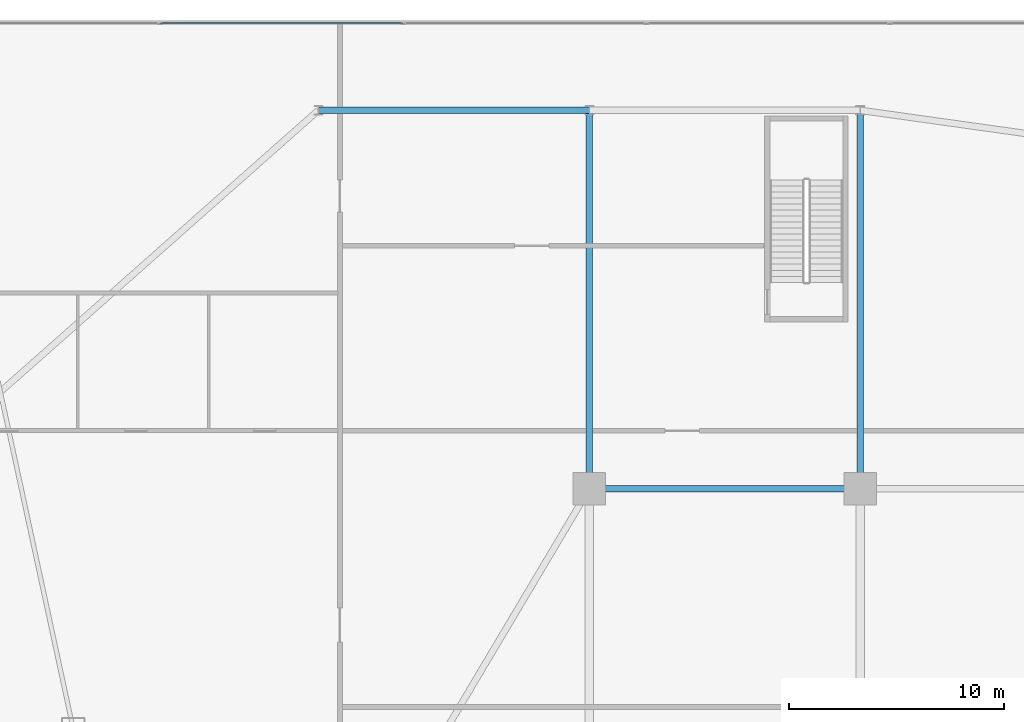
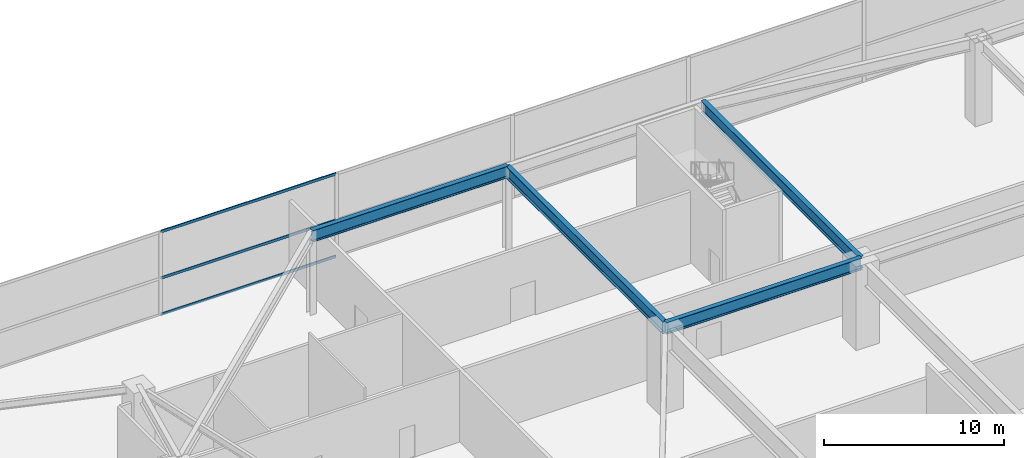
# One storey, part 18 of 35: 4 beams, 3 members, 1 element without a shape of its own.
"""IFC4 building model written with IfcOpenShell, lengths in metres."""

from ifc_helpers import new_model, si_unit, direction, frame, origin, origin_2d, place, context, subcontext, project, spatial, hollow_rectangle, i_section, extrude, material, layer, layer_set, material_profile, profile_set, type_object, element, aggregate, save


model = new_model("IFC4")

# Units and contexts
model_context = context("Model", 3, precision=1e-05, world=origin(), true_north=direction((0.0, 1.0)))
body_context = subcontext(model_context, "Body", "Model", "MODEL_VIEW")
ifc_project = project(units=[si_unit("LENGTHUNIT", "METRE"), si_unit("AREAUNIT", "SQUARE_METRE"), si_unit("VOLUMEUNIT", "CUBIC_METRE"), si_unit("PLANEANGLEUNIT", "RADIAN"), si_unit("MASSUNIT", "GRAM", prefix="KILO")], contexts=[model_context])

# Site, building, storey
site_placement = place(None, origin())
site = spatial("IfcSite", under=ifc_project, at=site_placement, CompositionType="ELEMENT")
building_placement = place(site_placement, origin())
building = spatial("IfcBuilding", under=site, at=building_placement, Name="Calvorn Quay Hotel", CompositionType="ELEMENT")
storey_placement = place(building_placement, frame((0.0, 0.0, 6.0)))
storey = spatial("IfcBuildingStorey", under=building, at=storey_placement, Name="L01", CompositionType="ELEMENT", Elevation=6.0)

# Beams
ifc_material_1 = material(Name="Steel Q390GJC", Category="steel")
ifc_material_profile_1 = material_profile(ifc_material_1, i_section(OverallWidth=0.300048828125, OverallDepth=0.800048828125, WebThickness=0.013916015625, FlangeThickness=0.02587890625, FilletRadius=0.02392578125, at=origin_2d()), Name="HN800x300x14x26")
ifc_profile_set_1 = profile_set([ifc_material_profile_1], Name="Steel Q390GJC")
beam_type = type_object("IfcBeamType", Name="BM-GIRD-POD", PredefinedType="BEAM", material=ifc_profile_set_1)
for number, where, z_axis, x_axis, name in (
    (1, (45.0, 36.199951171875, 5.280029296875), (1.0, 0.0, 0.0), (0.0, 1.0, 0.0), "Beam BG-L01-PN2"),
    (2, (32.39990234375, 53.800048828125, 5.280029296875), (1.0, 0.0, 0.0), (0.0, 1.0, 0.0), "Beam BG-L01-PN5"),
):
    element("IfcBeam", number, at=place(storey_placement, frame(where, z_axis=z_axis, x_axis=x_axis)), inside=storey, type_object=beam_type, Name=name, PredefinedType="BEAM", context=body_context, shape_type="SweptSolid", body=[
        extrude(i_section(OverallWidth=0.300048828125, OverallDepth=0.800048828125, WebThickness=0.013916015625, FlangeThickness=0.02587890625, FilletRadius=0.02392578125, at=origin_2d()), origin(), (0.0, 0.0, 1.0), 12.60009765625),
    ])
for number, where, z_axis, x_axis, name in (
    (3, (45.0, 36.199951171875, 5.280029296875), (0.0, 1.0, 0.0), (-1.0, 0.0, 0.0), "Beam BG-L01-PN8"),
    (4, (57.60009765625, 36.199951171875, 5.280029296875), (0.0, 1.0, 0.0), (-1.0, 0.0, 0.0), "Beam BG-L01-PN9"),
):
    element("IfcBeam", number, at=place(storey_placement, frame(where, z_axis=z_axis, x_axis=x_axis)), inside=storey, type_object=beam_type, Name=name, PredefinedType="BEAM", context=body_context, shape_type="SweptSolid", body=[
        extrude(i_section(OverallWidth=0.300048828125, OverallDepth=0.800048828125, WebThickness=0.013916015625, FlangeThickness=0.02587890625, FilletRadius=0.02392578125, at=origin_2d()), origin(), (0.0, 0.0, 1.0), 17.60009765625),
    ])

# Curtain wall, members
ifc_material_2 = material(Name="Pale Anodised Aluminium and Low-E Glass", Category="aluminium")
ifc_layer = layer(ifc_material_2, 0.219970703125)
ifc_layer_set = layer_set([ifc_layer], Name="CW-SYS-POD")
curtain_wall_type = type_object("IfcCurtainWallType", Name="CW-SYS-POD", PredefinedType="NOTDEFINED", material=ifc_layer_set)
curtain_wall_placement = place(storey_placement, origin())
curtain_wall = element("IfcCurtainWall", 5, at=curtain_wall_placement, inside=storey, type_object=curtain_wall_type, Name="Podium Curtain Wall L01-N1", PredefinedType="NOTDEFINED")
ifc_material_3 = material(Name="Pale Anodised Aluminium 6063-T6", Category="aluminium")
ifc_material_profile_2 = material_profile(ifc_material_3, hollow_rectangle(XDim=0.070068359375, YDim=0.179931640625, WallThickness=0.00390625, at=origin_2d()), Name="ALU-T180x70x4")
ifc_profile_set_2 = profile_set([ifc_material_profile_2], Name="Pale Anodised Aluminium 6063-T6")
member_type = type_object("IfcMemberType", Name="CW-SYS-POD-TRN", PredefinedType="USERDEFINED", material=ifc_profile_set_2)
member_1_placement = place(storey_placement, frame((25.05859375, 57.85009765625, 0.030029296875), z_axis=(1.0, 0.0, 0.0), x_axis=(0.0, 1.0, 0.0)))
member_1 = element("IfcMember", 6, at=member_1_placement, type_object=member_type, Name="CW-L01-N1 transom 3.1", ObjectType="TRANSOM", PredefinedType="USERDEFINED", context=body_context, shape_type="SweptSolid", body=[
    extrude(hollow_rectangle(XDim=0.070068359375, YDim=0.179931640625, WallThickness=0.00390625, at=origin_2d()), origin(), (0.0, 0.0, 1.0), 11.254150390625),
])
member_2_placement = place(storey_placement, frame((25.05859375, 57.85009765625, 2.5), z_axis=(1.0, 0.0, 0.0), x_axis=(0.0, 1.0, 0.0)))
member_2 = element("IfcMember", 7, at=member_2_placement, type_object=member_type, Name="CW-L01-N1 transom 3.2", ObjectType="TRANSOM", PredefinedType="USERDEFINED", context=body_context, shape_type="SweptSolid", body=[
    extrude(hollow_rectangle(XDim=0.070068359375, YDim=0.179931640625, WallThickness=0.00390625, at=origin_2d()), origin(), (0.0, 0.0, 1.0), 11.254150390625),
])
member_3_placement = place(storey_placement, frame((25.05859375, 57.85009765625, 5.64990234375), z_axis=(1.0, 0.0, 0.0), x_axis=(0.0, 1.0, 0.0)))
member_3 = element("IfcMember", 8, at=member_3_placement, type_object=member_type, Name="CW-L01-N1 transom 3.3", ObjectType="TRANSOM", PredefinedType="USERDEFINED", context=body_context, shape_type="SweptSolid", body=[
    extrude(hollow_rectangle(XDim=0.070068359375, YDim=0.179931640625, WallThickness=0.00390625, at=origin_2d()), origin(), (0.0, 0.0, 1.0), 11.254150390625),
])
aggregate(curtain_wall, [member_1, member_2, member_3])

save(model, "model.ifc")
